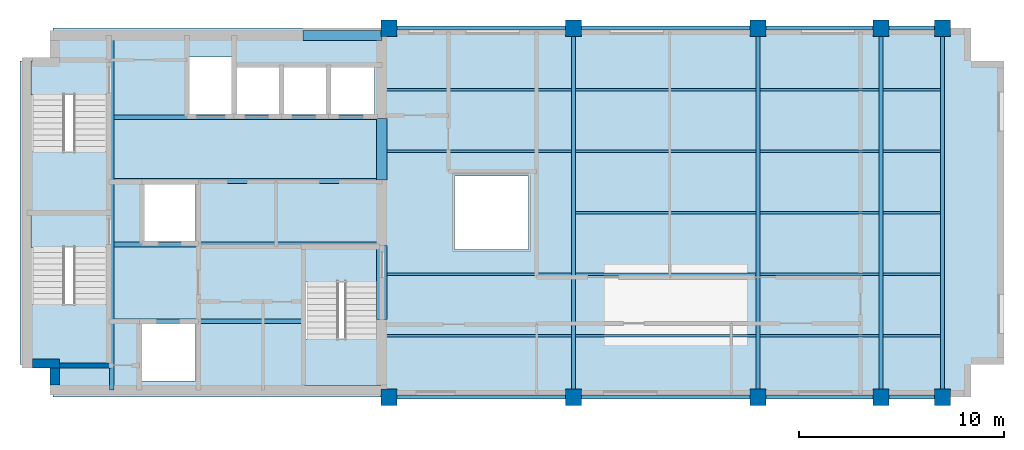
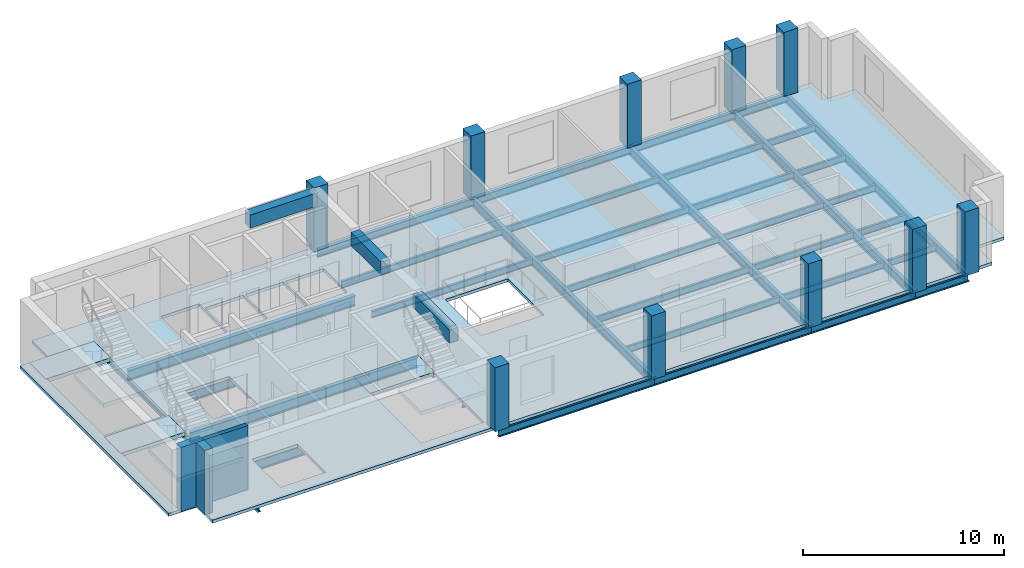
# One storey, part 1 of 5: 39 beams, 10 columns, 7 slabs, 3 walls, 3 elements without a shape of their own.
"""IFC4 building model written with IfcOpenShell, lengths in metres."""

import ifcopenshell
import ifcopenshell.guid

model = None  # the IFC model being written
_history = None  # IfcOwnerHistory: only IFC2X3 demands one
_inside = {}  # id of a spatial element -> (the spatial element, [elements in it])
_under = {}  # id of a project, library or spatial element -> (it, [spatial elements below it])
_declared = {}  # id of a project -> (the project, [libraries it declares])
_typed = {}  # id of a type object -> (the type object, [elements of that type])
_made_of = {}  # id of a material, layer set ... -> (it, [elements and type objects made of it])


def new_model(schema):
    """Start an empty IFC model of exactly this schema.

    Asked for "IFC4X3", IfcOpenShell would pick the latest addendum, in which some entities
    have other attributes; the version numbers below select the first issue.
    IFC2X3 requires an IfcOwnerHistory on every rooted entity: one is made here for all.
    """
    global model, _history
    if schema == "IFC4X3":
        model = ifcopenshell.file(schema_version=(4, 3, 0, 0))
    else:
        model = ifcopenshell.file(schema=schema)
    _inside.clear()
    _under.clear()
    _declared.clear()
    _typed.clear()
    _made_of.clear()
    _history = None
    if model.schema == "IFC2X3":
        org = make("IfcOrganization", Name="unknown")
        user = make(
            "IfcPersonAndOrganization",
            ThePerson=make("IfcPerson", FamilyName="unknown"),
            TheOrganization=org,
        )
        app = make(
            "IfcApplication",
            ApplicationDeveloper=org,
            Version="unknown",
            ApplicationFullName="unknown",
            ApplicationIdentifier="unknown",
        )
        _history = make(
            "IfcOwnerHistory",
            OwningUser=user,
            OwningApplication=app,
            ChangeAction="ADDED",
            CreationDate=0,
        )
    return model


def make(cls, **values):
    """One entity of the class cls with the attributes given. An attribute that is None is left unset."""
    return model.create_entity(
        cls, **{name: value for name, value in values.items() if value is not None}
    )


def rooted(cls, **values):
    """An entity with a GlobalId (a new one), such as an element, a storey or a relation."""
    return make(cls, GlobalId=ifcopenshell.guid.new(), OwnerHistory=_history, **values)


def si_unit(unit_type, name, prefix=None):
    """IfcSIUnit, for example si_unit("LENGTHUNIT", "METRE", prefix="MILLI")."""
    return make("IfcSIUnit", UnitType=unit_type, Prefix=prefix, Name=name)


def assignment(units):
    """IfcUnitAssignment: the units of a project."""
    return None if units is None else make("IfcUnitAssignment", Units=units)


def point(xyz):
    """IfcCartesianPoint."""
    return None if xyz is None else make("IfcCartesianPoint", Coordinates=xyz)


def direction(xyz):
    """IfcDirection."""
    return None if xyz is None else make("IfcDirection", DirectionRatios=xyz)


def frame(location, z_axis=None, x_axis=None):
    """IfcAxis2Placement3D, a coordinate frame: its origin and axes. An axis left out is left unset."""
    return make(
        "IfcAxis2Placement3D",
        Location=point(location),
        Axis=direction(z_axis),
        RefDirection=direction(x_axis),
    )


def frame_2d(location, x_axis=None):
    """IfcAxis2Placement2D, a coordinate frame in the plane: its origin and x axis."""
    return make(
        "IfcAxis2Placement2D", Location=point(location), RefDirection=direction(x_axis)
    )


def origin():
    """The frame at (0, 0, 0) with its axes left unset."""
    return frame((0.0, 0.0, 0.0))


def origin_2d():
    """The frame at (0, 0) in the plane with its x axis left unset."""
    return frame_2d((0.0, 0.0))


def place(relative_to, where):
    """IfcLocalPlacement: puts the frame where relative to a parent placement (None: the world)."""
    return make(
        "IfcLocalPlacement", PlacementRelTo=relative_to, RelativePlacement=where
    )


def context(
    kind, dimensions, precision=None, world=None, true_north=None, identifier=None
):
    """IfcGeometricRepresentationContext, for example the 3D "Model" context."""
    return make(
        "IfcGeometricRepresentationContext",
        ContextIdentifier=identifier,
        ContextType=kind,
        CoordinateSpaceDimension=dimensions,
        Precision=precision,
        WorldCoordinateSystem=world,
        TrueNorth=true_north,
    )


def subcontext(parent, identifier, kind, view, scale=None):
    """IfcGeometricRepresentationSubContext, for example "Body" below "Model"."""
    return make(
        "IfcGeometricRepresentationSubContext",
        ContextIdentifier=identifier,
        ContextType=kind,
        ParentContext=parent,
        TargetScale=scale,
        TargetView=view,
    )


def project(units=None, contexts=None):
    """IfcProject with its units and contexts."""
    return rooted(
        "IfcProject",
        Name="project",
        RepresentationContexts=contexts,
        UnitsInContext=assignment(units),
    )


def spatial(cls, under=None, at=None, **own):
    """A site, building, storey or space (cls), placed at a placement, below another one or the project."""
    s = rooted(cls, ObjectPlacement=at, **own)
    if under is not None:
        _under.setdefault(under.id(), (under, []))[1].append(s)
    return s


def polyline(points):
    """IfcPolyline through the points."""
    return make("IfcPolyline", Points=[point(p) for p in points])


def profile(cls, at=None, kind="AREA", **sizes):
    """A parametric profile (cls). Its sizes go by their IFC names, for example OverallWidth=200.0."""
    return make(cls, ProfileType=kind, Position=at, **sizes)


def rectangle(**sizes):
    """IfcRectangleProfileDef."""
    return profile("IfcRectangleProfileDef", **sizes)


def i_section(**sizes):
    """IfcIShapeProfileDef."""
    return profile("IfcIShapeProfileDef", **sizes)


def outline(outer, holes=None, kind="AREA"):
    """IfcArbitraryClosedProfileDef: a profile drawn as a closed curve; with holes, ...WithVoids."""
    if holes is None:
        return make("IfcArbitraryClosedProfileDef", ProfileType=kind, OuterCurve=outer)
    return make(
        "IfcArbitraryProfileDefWithVoids",
        ProfileType=kind,
        OuterCurve=outer,
        InnerCurves=holes,
    )


def extrude(swept, where, along, depth):
    """IfcExtrudedAreaSolid: the profile swept, set in the frame where, extruded along a direction by depth."""
    return make(
        "IfcExtrudedAreaSolid",
        SweptArea=swept,
        Position=where,
        ExtrudedDirection=direction(along),
        Depth=depth,
    )


def shape(context_of_items, identifier, shape_type, items):
    """IfcShapeRepresentation: the items that make up one representation, for example the "Body"."""
    return make(
        "IfcShapeRepresentation",
        ContextOfItems=context_of_items,
        RepresentationIdentifier=identifier,
        RepresentationType=shape_type,
        Items=items,
    )


def material(Name=None, Category=None):
    """IfcMaterial."""
    return make("IfcMaterial", Name=Name, Category=Category)


def layer(
    of_material, thickness, ventilated=None, Name=None, Category=None, Priority=None
):
    """IfcMaterialLayer: one layer of a wall or slab, of a material (None: an air gap)."""
    return make(
        "IfcMaterialLayer",
        Material=of_material,
        LayerThickness=thickness,
        IsVentilated=ventilated,
        Name=Name,
        Category=Category,
        Priority=Priority,
    )


def layer_set(layers, Name=None):
    """IfcMaterialLayerSet."""
    return make("IfcMaterialLayerSet", MaterialLayers=layers, LayerSetName=Name)


def material_profile(
    of_material, cross_section, Name=None, Category=None, Priority=None
):
    """IfcMaterialProfile: a cross section and its material."""
    return make(
        "IfcMaterialProfile",
        Name=Name,
        Material=of_material,
        Profile=cross_section,
        Priority=Priority,
        Category=Category,
    )


def profile_set(profiles, Name=None, composite=None):
    """IfcMaterialProfileSet."""
    return make(
        "IfcMaterialProfileSet",
        Name=Name,
        MaterialProfiles=profiles,
        CompositeProfile=composite,
    )


def made_of(thing, what):
    """Note that an element or type object is made of a material, layer set ...; save() writes the relation."""
    if what is not None:
        _made_of.setdefault(what.id(), (what, []))[1].append(thing)
    return thing


def type_object(cls, material=None, **own):
    """A type object (cls), such as IfcWallType, which elements share."""
    return made_of(rooted(cls, **own), material)


def element(
    cls,
    number,
    at=None,
    inside=None,
    cuts=None,
    type_object=None,
    material=None,
    context=None,
    identifier="Body",
    shape_type=None,
    held_by="IfcProductDefinitionShape",
    body=None,
    shapes=None,
    **own,
):
    """One element of the class cls, such as IfcWall. Its Tag is "e" and its number.

    at: its placement. inside: the storey or other place that contains it. cuts: it is an
    opening in that element (IfcRelVoidsElement). A single representation is given by context,
    identifier, shape_type and body (its items); several are given by shapes. held_by: the class
    of the entity that holds the representations. save() writes the other relations.
    """
    e = rooted(cls, Tag="e%d" % number, ObjectPlacement=at, **own)
    if body is not None:
        shapes = [shape(context, identifier, shape_type, body)]
    if shapes is not None:
        e.Representation = make(held_by, Representations=shapes)
    if inside is not None:
        _inside.setdefault(inside.id(), (inside, []))[1].append(e)
    if cuts is not None:
        rooted(
            "IfcRelVoidsElement", RelatingBuildingElement=cuts, RelatedOpeningElement=e
        )
    if type_object is not None:
        _typed.setdefault(type_object.id(), (type_object, []))[1].append(e)
    return made_of(e, material)


def aggregate(whole, parts):
    """IfcRelAggregates: a whole, such as a stair, and the parts it consists of."""
    return rooted("IfcRelAggregates", RelatingObject=whole, RelatedObjects=parts)


def save(model, path):
    """Write the relations noted so far, then the file.

    IfcRelAggregates (storeys below a building ...), IfcRelContainedInSpatialStructure (elements
    in a storey), IfcRelDefinesByType, IfcRelAssociatesMaterial and IfcRelDeclares: one each for
    every whole, place, type object, material and project.
    """
    for whole, parts in _under.values():
        aggregate(whole, parts)
    for where, things in _inside.values():
        rooted(
            "IfcRelContainedInSpatialStructure",
            RelatedElements=things,
            RelatingStructure=where,
        )
    for kind, things in _typed.values():
        rooted("IfcRelDefinesByType", RelatedObjects=things, RelatingType=kind)
    for what, things in _made_of.values():
        rooted("IfcRelAssociatesMaterial", RelatedObjects=things, RelatingMaterial=what)
    for by, libraries in _declared.values():
        rooted("IfcRelDeclares", RelatingContext=by, RelatedDefinitions=libraries)
    model.write(path)


model = new_model("IFC4")

# Units and contexts
model_context = context("Model", 3, precision=1e-05, world=origin(), true_north=direction((0.0, 1.0)))
body_context = subcontext(model_context, "Body", "Model", "MODEL_VIEW")
ifc_project = project(units=[si_unit("LENGTHUNIT", "METRE"), si_unit("AREAUNIT", "SQUARE_METRE"), si_unit("VOLUMEUNIT", "CUBIC_METRE"), si_unit("PLANEANGLEUNIT", "RADIAN"), si_unit("MASSUNIT", "GRAM", prefix="KILO")], contexts=[model_context])

# Site, building, storey
site_placement = place(None, origin())
site = spatial("IfcSite", under=ifc_project, at=site_placement, CompositionType="ELEMENT")
building_placement = place(site_placement, origin())
building = spatial("IfcBuilding", under=site, at=building_placement, Name="Mawjdan Bourse Tower", CompositionType="ELEMENT")
storey_placement = place(building_placement, frame((0.0, 0.0, 266.39990234375)))
storey = spatial("IfcBuildingStorey", under=building, at=storey_placement, Name="L65", CompositionType="ELEMENT", Elevation=266.39990234375)

# Columns
ifc_material_1 = material(Name="Concrete C60/75", Category="concrete")
ifc_material_profile_1 = material_profile(ifc_material_1, rectangle(XDim=0.800048828125, YDim=0.800048828125, at=origin_2d()), Name="RC800X800")
ifc_profile_set_1 = profile_set([ifc_material_profile_1], Name="Concrete C60/75")
column_type = type_object("IfcColumnType", Name="COL-RC800X800", PredefinedType="COLUMN", material=ifc_profile_set_1)
for number, where, z_axis, x_axis, name in (
    (1, (24.0, 3.0, 0.0), (0.0, 0.0, 1.0), (1.0, 0.0, 0.0), "L65 Structural Column C-X240-Y30"),
    (2, (24.0, 21.0, 0.0), (0.0, 0.0, 1.0), (1.0, 0.0, 0.0), "L65 Structural Column C-X240-Y210"),
    (3, (33.0, 3.0, 0.0), (0.0, 0.0, 1.0), (1.0, 0.0, 0.0), "L65 Structural Column C-X330-Y30"),
    (4, (33.0, 21.0, 0.0), (0.0, 0.0, 1.0), (1.0, 0.0, 0.0), "L65 Structural Column C-X330-Y210"),
    (5, (42.0, 3.0, 0.0), (0.0, 0.0, 1.0), (1.0, 0.0, 0.0), "L65 Structural Column C-X420-Y30"),
    (6, (42.0, 21.0, 0.0), (0.0, 0.0, 1.0), (1.0, 0.0, 0.0), "L65 Structural Column C-X420-Y210"),
    (7, (48.0, 3.0, 0.0), (0.0, 0.0, 1.0), (1.0, 0.0, 0.0), "L65 Structural Column C-X480-Y30"),
    (8, (48.0, 21.0, 0.0), (0.0, 0.0, 1.0), (1.0, 0.0, 0.0), "L65 Structural Column C-X480-Y210"),
    (9, (51.0, 3.0, 0.0), (0.0, 0.0, 1.0), (1.0, 0.0, 0.0), "L65 Structural Column C-X510-Y30"),
    (10, (51.0, 21.0, 0.0), (0.0, 0.0, 1.0), (1.0, 0.0, 0.0), "L65 Structural Column C-X510-Y210"),
):
    element("IfcColumn", number, at=place(storey_placement, frame(where, z_axis=z_axis, x_axis=x_axis)), inside=storey, type_object=column_type, Name=name, PredefinedType="COLUMN", context=body_context, shape_type="SweptSolid", body=[
        extrude(rectangle(XDim=0.800048828125, YDim=0.800048828125, at=origin_2d()), origin(), (0.0, 0.0, 1.0), 3.900146484375),
    ])

# Beams
ifc_material_2 = material(Name="Structural Steel S355", Category="steel")
ifc_material_profile_2 = material_profile(ifc_material_2, i_section(OverallWidth=0.2119140625, OverallDepth=0.5439453125, WebThickness=0.01318359375, FlangeThickness=0.021240234375, FilletRadius=0.01708984375, at=origin_2d()), Name="W21X83")
ifc_profile_set_2 = profile_set([ifc_material_profile_2], Name="Structural Steel S355")
beam_type_1 = type_object("IfcBeamType", Name="GRD-W21X83", PredefinedType="BEAM", material=ifc_profile_set_2)
beam_1_placement = place(storey_placement, frame((10.47998046875, 3.35009765625, -0.456787109375), z_axis=(0.0, 1.0, 0.0), x_axis=(-1.0, 0.0, 0.0)))
element("IfcBeam", 11, at=beam_1_placement, inside=storey, type_object=beam_type_1, Name="L65 Core Stair Trimmer Girder 001", PredefinedType="BEAM", context=body_context, shape_type="SweptSolid", body=[
    extrude(i_section(OverallWidth=0.2119140625, OverallDepth=0.5439453125, WebThickness=0.01318359375, FlangeThickness=0.021240234375, FilletRadius=0.01708984375, at=origin_2d()), origin(), (0.0, 0.0, 1.0), 17.2998046875),
])
for number, where, z_axis, x_axis, name in (
    (12, (33.0, 3.0, -0.456787109375), (0.0, 1.0, 0.0), (-1.0, 0.0, 0.0), "L65 East Wing Clear-Span Girder 002"),
    (13, (42.0, 3.0, -0.456787109375), (0.0, 1.0, 0.0), (-1.0, 0.0, 0.0), "L65 East Wing Clear-Span Girder 003"),
    (14, (48.0, 3.0, -0.456787109375), (0.0, 1.0, 0.0), (-1.0, 0.0, 0.0), "L65 East Wing Clear-Span Girder 004"),
    (15, (51.0, 3.0, -0.456787109375), (0.0, 1.0, 0.0), (-1.0, 0.0, 0.0), "L65 East Wing Clear-Span Girder 005"),
):
    element("IfcBeam", number, at=place(storey_placement, frame(where, z_axis=z_axis, x_axis=x_axis)), inside=storey, type_object=beam_type_1, Name=name, PredefinedType="BEAM", context=body_context, shape_type="SweptSolid", body=[
        extrude(i_section(OverallWidth=0.2119140625, OverallDepth=0.5439453125, WebThickness=0.01318359375, FlangeThickness=0.021240234375, FilletRadius=0.01708984375, at=origin_2d()), origin(), (0.0, 0.0, 1.0), 18.0),
    ])
ifc_material_profile_3 = material_profile(ifc_material_2, i_section(OverallWidth=0.139892578125, OverallDepth=0.404052734375, WebThickness=0.007080078125, FlangeThickness=0.01123046875, FilletRadius=0.009033203125, at=origin_2d()), Name="W16X31")
ifc_profile_set_3 = profile_set([ifc_material_profile_3], Name="Structural Steel S355")
beam_type_2 = type_object("IfcBeamType", Name="JST-W16X31", PredefinedType="JOIST", material=ifc_profile_set_3)
beam_2_placement = place(storey_placement, frame((23.64990234375, 6.0, -0.386962890625), z_axis=(1.0, 0.0, 0.0), x_axis=(0.0, 1.0, 0.0)))
element("IfcBeam", 16, at=beam_2_placement, inside=storey, type_object=beam_type_2, Name="L65 East Wing Composite Joist 014", PredefinedType="JOIST", context=body_context, shape_type="SweptSolid", body=[
    extrude(i_section(OverallWidth=0.139892578125, OverallDepth=0.404052734375, WebThickness=0.007080078125, FlangeThickness=0.01123046875, FilletRadius=0.009033203125, at=origin_2d()), origin(), (0.0, 0.0, 1.0), 9.24609375),
])
beam_3_placement = place(storey_placement, frame((33.10400390625, 6.0, -0.386962890625), z_axis=(1.0, 0.0, 0.0), x_axis=(0.0, 1.0, 0.0)))
element("IfcBeam", 17, at=beam_3_placement, inside=storey, type_object=beam_type_2, Name="L65 East Wing Composite Joist 015", PredefinedType="JOIST", context=body_context, shape_type="SweptSolid", body=[
    extrude(i_section(OverallWidth=0.139892578125, OverallDepth=0.404052734375, WebThickness=0.007080078125, FlangeThickness=0.01123046875, FilletRadius=0.009033203125, at=origin_2d()), origin(), (0.0, 0.0, 1.0), 8.7919921875),
])
beam_4_placement = place(storey_placement, frame((42.10400390625, 6.0, -0.386962890625), z_axis=(1.0, 0.0, 0.0), x_axis=(0.0, 1.0, 0.0)))
element("IfcBeam", 18, at=beam_4_placement, inside=storey, type_object=beam_type_2, Name="L65 East Wing Composite Joist 016", PredefinedType="JOIST", context=body_context, shape_type="SweptSolid", body=[
    extrude(i_section(OverallWidth=0.139892578125, OverallDepth=0.404052734375, WebThickness=0.007080078125, FlangeThickness=0.01123046875, FilletRadius=0.009033203125, at=origin_2d()), origin(), (0.0, 0.0, 1.0), 5.7919921875),
])
beam_5_placement = place(storey_placement, frame((48.10400390625, 6.0, -0.386962890625), z_axis=(1.0, 0.0, 0.0), x_axis=(0.0, 1.0, 0.0)))
element("IfcBeam", 19, at=beam_5_placement, inside=storey, type_object=beam_type_2, Name="L65 East Wing Composite Joist 017", PredefinedType="JOIST", context=body_context, shape_type="SweptSolid", body=[
    extrude(i_section(OverallWidth=0.139892578125, OverallDepth=0.404052734375, WebThickness=0.007080078125, FlangeThickness=0.01123046875, FilletRadius=0.009033203125, at=origin_2d()), origin(), (0.0, 0.0, 1.0), 2.7919921875),
])
beam_6_placement = place(storey_placement, frame((23.64990234375, 9.0, -0.386962890625), z_axis=(1.0, 0.0, 0.0), x_axis=(0.0, 1.0, 0.0)))
element("IfcBeam", 20, at=beam_6_placement, inside=storey, type_object=beam_type_2, Name="L65 East Wing Composite Joist 018", PredefinedType="JOIST", context=body_context, shape_type="SweptSolid", body=[
    extrude(i_section(OverallWidth=0.139892578125, OverallDepth=0.404052734375, WebThickness=0.007080078125, FlangeThickness=0.01123046875, FilletRadius=0.009033203125, at=origin_2d()), origin(), (0.0, 0.0, 1.0), 9.24609375),
])
beam_7_placement = place(storey_placement, frame((33.10400390625, 9.0, -0.386962890625), z_axis=(1.0, 0.0, 0.0), x_axis=(0.0, 1.0, 0.0)))
element("IfcBeam", 21, at=beam_7_placement, inside=storey, type_object=beam_type_2, Name="L65 East Wing Composite Joist 019", PredefinedType="JOIST", context=body_context, shape_type="SweptSolid", body=[
    extrude(i_section(OverallWidth=0.139892578125, OverallDepth=0.404052734375, WebThickness=0.007080078125, FlangeThickness=0.01123046875, FilletRadius=0.009033203125, at=origin_2d()), origin(), (0.0, 0.0, 1.0), 8.7919921875),
])
beam_8_placement = place(storey_placement, frame((42.10400390625, 9.0, -0.386962890625), z_axis=(1.0, 0.0, 0.0), x_axis=(0.0, 1.0, 0.0)))
element("IfcBeam", 22, at=beam_8_placement, inside=storey, type_object=beam_type_2, Name="L65 East Wing Composite Joist 020", PredefinedType="JOIST", context=body_context, shape_type="SweptSolid", body=[
    extrude(i_section(OverallWidth=0.139892578125, OverallDepth=0.404052734375, WebThickness=0.007080078125, FlangeThickness=0.01123046875, FilletRadius=0.009033203125, at=origin_2d()), origin(), (0.0, 0.0, 1.0), 5.7919921875),
])
beam_9_placement = place(storey_placement, frame((48.10400390625, 9.0, -0.386962890625), z_axis=(1.0, 0.0, 0.0), x_axis=(0.0, 1.0, 0.0)))
element("IfcBeam", 23, at=beam_9_placement, inside=storey, type_object=beam_type_2, Name="L65 East Wing Composite Joist 021", PredefinedType="JOIST", context=body_context, shape_type="SweptSolid", body=[
    extrude(i_section(OverallWidth=0.139892578125, OverallDepth=0.404052734375, WebThickness=0.007080078125, FlangeThickness=0.01123046875, FilletRadius=0.009033203125, at=origin_2d()), origin(), (0.0, 0.0, 1.0), 2.7919921875),
])
beam_10_placement = place(storey_placement, frame((33.10400390625, 12.0, -0.386962890625), z_axis=(1.0, 0.0, 0.0), x_axis=(0.0, 1.0, 0.0)))
element("IfcBeam", 24, at=beam_10_placement, inside=storey, type_object=beam_type_2, Name="L65 East Wing Composite Joist 022", PredefinedType="JOIST", context=body_context, shape_type="SweptSolid", body=[
    extrude(i_section(OverallWidth=0.139892578125, OverallDepth=0.404052734375, WebThickness=0.007080078125, FlangeThickness=0.01123046875, FilletRadius=0.009033203125, at=origin_2d()), origin(), (0.0, 0.0, 1.0), 8.7919921875),
])
beam_11_placement = place(storey_placement, frame((42.10400390625, 12.0, -0.386962890625), z_axis=(1.0, 0.0, 0.0), x_axis=(0.0, 1.0, 0.0)))
element("IfcBeam", 25, at=beam_11_placement, inside=storey, type_object=beam_type_2, Name="L65 East Wing Composite Joist 023", PredefinedType="JOIST", context=body_context, shape_type="SweptSolid", body=[
    extrude(i_section(OverallWidth=0.139892578125, OverallDepth=0.404052734375, WebThickness=0.007080078125, FlangeThickness=0.01123046875, FilletRadius=0.009033203125, at=origin_2d()), origin(), (0.0, 0.0, 1.0), 5.7919921875),
])
beam_12_placement = place(storey_placement, frame((48.10400390625, 12.0, -0.386962890625), z_axis=(1.0, 0.0, 0.0), x_axis=(0.0, 1.0, 0.0)))
element("IfcBeam", 26, at=beam_12_placement, inside=storey, type_object=beam_type_2, Name="L65 East Wing Composite Joist 024", PredefinedType="JOIST", context=body_context, shape_type="SweptSolid", body=[
    extrude(i_section(OverallWidth=0.139892578125, OverallDepth=0.404052734375, WebThickness=0.007080078125, FlangeThickness=0.01123046875, FilletRadius=0.009033203125, at=origin_2d()), origin(), (0.0, 0.0, 1.0), 2.7919921875),
])
beam_13_placement = place(storey_placement, frame((23.64990234375, 15.0, -0.386962890625), z_axis=(1.0, 0.0, 0.0), x_axis=(0.0, 1.0, 0.0)))
element("IfcBeam", 27, at=beam_13_placement, inside=storey, type_object=beam_type_2, Name="L65 East Wing Composite Joist 025", PredefinedType="JOIST", context=body_context, shape_type="SweptSolid", body=[
    extrude(i_section(OverallWidth=0.139892578125, OverallDepth=0.404052734375, WebThickness=0.007080078125, FlangeThickness=0.01123046875, FilletRadius=0.009033203125, at=origin_2d()), origin(), (0.0, 0.0, 1.0), 9.24609375),
])
beam_14_placement = place(storey_placement, frame((33.10400390625, 15.0, -0.386962890625), z_axis=(1.0, 0.0, 0.0), x_axis=(0.0, 1.0, 0.0)))
element("IfcBeam", 28, at=beam_14_placement, inside=storey, type_object=beam_type_2, Name="L65 East Wing Composite Joist 026", PredefinedType="JOIST", context=body_context, shape_type="SweptSolid", body=[
    extrude(i_section(OverallWidth=0.139892578125, OverallDepth=0.404052734375, WebThickness=0.007080078125, FlangeThickness=0.01123046875, FilletRadius=0.009033203125, at=origin_2d()), origin(), (0.0, 0.0, 1.0), 8.7919921875),
])
beam_15_placement = place(storey_placement, frame((42.10400390625, 15.0, -0.386962890625), z_axis=(1.0, 0.0, 0.0), x_axis=(0.0, 1.0, 0.0)))
element("IfcBeam", 29, at=beam_15_placement, inside=storey, type_object=beam_type_2, Name="L65 East Wing Composite Joist 027", PredefinedType="JOIST", context=body_context, shape_type="SweptSolid", body=[
    extrude(i_section(OverallWidth=0.139892578125, OverallDepth=0.404052734375, WebThickness=0.007080078125, FlangeThickness=0.01123046875, FilletRadius=0.009033203125, at=origin_2d()), origin(), (0.0, 0.0, 1.0), 5.7919921875),
])
beam_16_placement = place(storey_placement, frame((48.10400390625, 15.0, -0.386962890625), z_axis=(1.0, 0.0, 0.0), x_axis=(0.0, 1.0, 0.0)))
element("IfcBeam", 30, at=beam_16_placement, inside=storey, type_object=beam_type_2, Name="L65 East Wing Composite Joist 028", PredefinedType="JOIST", context=body_context, shape_type="SweptSolid", body=[
    extrude(i_section(OverallWidth=0.139892578125, OverallDepth=0.404052734375, WebThickness=0.007080078125, FlangeThickness=0.01123046875, FilletRadius=0.009033203125, at=origin_2d()), origin(), (0.0, 0.0, 1.0), 2.7919921875),
])
beam_17_placement = place(storey_placement, frame((23.64990234375, 18.0, -0.386962890625), z_axis=(1.0, 0.0, 0.0), x_axis=(0.0, 1.0, 0.0)))
element("IfcBeam", 31, at=beam_17_placement, inside=storey, type_object=beam_type_2, Name="L65 East Wing Composite Joist 029", PredefinedType="JOIST", context=body_context, shape_type="SweptSolid", body=[
    extrude(i_section(OverallWidth=0.139892578125, OverallDepth=0.404052734375, WebThickness=0.007080078125, FlangeThickness=0.01123046875, FilletRadius=0.009033203125, at=origin_2d()), origin(), (0.0, 0.0, 1.0), 9.24609375),
])
beam_18_placement = place(storey_placement, frame((33.10400390625, 18.0, -0.386962890625), z_axis=(1.0, 0.0, 0.0), x_axis=(0.0, 1.0, 0.0)))
element("IfcBeam", 32, at=beam_18_placement, inside=storey, type_object=beam_type_2, Name="L65 East Wing Composite Joist 030", PredefinedType="JOIST", context=body_context, shape_type="SweptSolid", body=[
    extrude(i_section(OverallWidth=0.139892578125, OverallDepth=0.404052734375, WebThickness=0.007080078125, FlangeThickness=0.01123046875, FilletRadius=0.009033203125, at=origin_2d()), origin(), (0.0, 0.0, 1.0), 8.7919921875),
])
beam_19_placement = place(storey_placement, frame((42.10400390625, 18.0, -0.386962890625), z_axis=(1.0, 0.0, 0.0), x_axis=(0.0, 1.0, 0.0)))
element("IfcBeam", 33, at=beam_19_placement, inside=storey, type_object=beam_type_2, Name="L65 East Wing Composite Joist 031", PredefinedType="JOIST", context=body_context, shape_type="SweptSolid", body=[
    extrude(i_section(OverallWidth=0.139892578125, OverallDepth=0.404052734375, WebThickness=0.007080078125, FlangeThickness=0.01123046875, FilletRadius=0.009033203125, at=origin_2d()), origin(), (0.0, 0.0, 1.0), 5.7919921875),
])
beam_20_placement = place(storey_placement, frame((48.10400390625, 18.0, -0.386962890625), z_axis=(1.0, 0.0, 0.0), x_axis=(0.0, 1.0, 0.0)))
element("IfcBeam", 34, at=beam_20_placement, inside=storey, type_object=beam_type_2, Name="L65 East Wing Composite Joist 032", PredefinedType="JOIST", context=body_context, shape_type="SweptSolid", body=[
    extrude(i_section(OverallWidth=0.139892578125, OverallDepth=0.404052734375, WebThickness=0.007080078125, FlangeThickness=0.01123046875, FilletRadius=0.009033203125, at=origin_2d()), origin(), (0.0, 0.0, 1.0), 2.7919921875),
])
ifc_material_profile_4 = material_profile(ifc_material_2, i_section(OverallWidth=0.22998046875, OverallDepth=0.616943359375, WebThickness=0.01318359375, FlangeThickness=0.022216796875, FilletRadius=0.017822265625, at=origin_2d()), Name="W24X94")
ifc_profile_set_4 = profile_set([ifc_material_profile_4], Name="Structural Steel S355")
beam_type_3 = type_object("IfcBeamType", Name="JST-W24X94", PredefinedType="JOIST", material=ifc_profile_set_4)
beam_21_placement = place(storey_placement, frame((10.583984375, 6.699951171875, -0.493408203125), z_axis=(1.0, 0.0, 0.0), x_axis=(0.0, 1.0, 0.0)))
element("IfcBeam", 35, at=beam_21_placement, inside=storey, type_object=beam_type_3, Name="L65 Core Floor Joist 033", PredefinedType="JOIST", context=body_context, shape_type="SweptSolid", body=[
    extrude(i_section(OverallWidth=0.22998046875, OverallDepth=0.616943359375, WebThickness=0.01318359375, FlangeThickness=0.022216796875, FilletRadius=0.017822265625, at=origin_2d()), origin(), (0.0, 0.0, 1.0), 9.24609375),
])
for number, where, z_axis, x_axis, name in (
    (36, (10.583984375, 10.449951171875, -0.493408203125), (1.0, 0.0, 0.0), (0.0, 1.0, 0.0), "L65 Core Floor Joist 034"),
    (37, (10.583984375, 13.550048828125, -0.493408203125), (1.0, 0.0, 0.0), (0.0, 1.0, 0.0), "L65 Core Floor Joist 035"),
    (38, (10.583984375, 16.64990234375, -0.493408203125), (1.0, 0.0, 0.0), (0.0, 1.0, 0.0), "L65 Core Floor Joist 036"),
):
    element("IfcBeam", number, at=place(storey_placement, frame(where, z_axis=z_axis, x_axis=x_axis)), inside=storey, type_object=beam_type_3, Name=name, PredefinedType="JOIST", context=body_context, shape_type="SweptSolid", body=[
        extrude(i_section(OverallWidth=0.22998046875, OverallDepth=0.616943359375, WebThickness=0.01318359375, FlangeThickness=0.022216796875, FilletRadius=0.017822265625, at=origin_2d()), origin(), (0.0, 0.0, 1.0), 13.06591796875),
    ])
ifc_material_3 = material(Name="Concrete C70/85", Category="concrete")
ifc_material_profile_5 = material_profile(ifc_material_3, rectangle(XDim=0.5, YDim=0.800048828125, at=origin_2d()), Name="RCB500X800")
ifc_profile_set_5 = profile_set([ifc_material_profile_5], Name="Concrete C70/85")
beam_type_4 = type_object("IfcBeamType", Name="LNT-RCB500X800", PredefinedType="LINTEL", material=ifc_profile_set_5)
beam_22_placement = place(storey_placement, frame((23.64990234375, 6.800048828125, 3.315185546875), z_axis=(0.0, 1.0, 0.0), x_axis=(-1.0, 0.0, 0.0)))
element("IfcBeam", 39, at=beam_22_placement, inside=storey, type_object=beam_type_4, Name="L65 Coupled Core Lintel CB-E1", PredefinedType="LINTEL", context=body_context, shape_type="SweptSolid", body=[
    extrude(rectangle(XDim=0.5, YDim=0.800048828125, at=origin_2d()), origin(), (0.0, 0.0, 1.0), 3.599853515625),
])
beam_23_placement = place(storey_placement, frame((23.64990234375, 13.60009765625, 3.315185546875), z_axis=(0.0, 1.0, 0.0), x_axis=(-1.0, 0.0, 0.0)))
element("IfcBeam", 40, at=beam_23_placement, inside=storey, type_object=beam_type_4, Name="L65 Coupled Core Lintel CB-E2", PredefinedType="LINTEL", context=body_context, shape_type="SweptSolid", body=[
    extrude(rectangle(XDim=0.5, YDim=0.800048828125, at=origin_2d()), origin(), (0.0, 0.0, 1.0), 3.0),
])
beam_24_placement = place(storey_placement, frame((19.800048828125, 20.64990234375, 3.315185546875), z_axis=(1.0, 0.0, 0.0), x_axis=(0.0, 1.0, 0.0)))
element("IfcBeam", 41, at=beam_24_placement, inside=storey, type_object=beam_type_4, Name="L65 Coupled Core Lintel CB-N1", PredefinedType="LINTEL", context=body_context, shape_type="SweptSolid", body=[
    extrude(rectangle(XDim=0.5, YDim=0.800048828125, at=origin_2d()), origin(), (0.0, 0.0, 1.0), 3.849853515625),
])
ifc_material_profile_6 = material_profile(ifc_material_2, i_section(OverallWidth=0.19189453125, OverallDepth=0.462890625, WebThickness=0.010498046875, FlangeThickness=0.017578125, FilletRadius=0.01416015625, at=origin_2d()), Name="W18X60")
ifc_profile_set_6 = profile_set([ifc_material_profile_6], Name="Structural Steel S355")
beam_type_5 = type_object("IfcBeamType", Name="SPN-W18X60", PredefinedType="SPANDREL", material=ifc_profile_set_6)
for number, where, z_axis, x_axis, name in (
    (42, (24.0, 3.0, -0.41650390625), (1.0, 0.0, 0.0), (0.0, 1.0, 0.0), "L65 Perimeter Masonry-Shelf Spandrel 006"),
    (43, (33.0, 3.0, -0.41650390625), (1.0, 0.0, 0.0), (0.0, 1.0, 0.0), "L65 Perimeter Masonry-Shelf Spandrel 007"),
):
    element("IfcBeam", number, at=place(storey_placement, frame(where, z_axis=z_axis, x_axis=x_axis)), inside=storey, type_object=beam_type_5, Name=name, PredefinedType="SPANDREL", context=body_context, shape_type="SweptSolid", body=[
        extrude(i_section(OverallWidth=0.19189453125, OverallDepth=0.462890625, WebThickness=0.010498046875, FlangeThickness=0.017578125, FilletRadius=0.01416015625, at=origin_2d()), origin(), (0.0, 0.0, 1.0), 9.0),
    ])
beam_25_placement = place(storey_placement, frame((42.0, 3.0, -0.41650390625), z_axis=(1.0, 0.0, 0.0), x_axis=(0.0, 1.0, 0.0)))
element("IfcBeam", 44, at=beam_25_placement, inside=storey, type_object=beam_type_5, Name="L65 Perimeter Masonry-Shelf Spandrel 008", PredefinedType="SPANDREL", context=body_context, shape_type="SweptSolid", body=[
    extrude(i_section(OverallWidth=0.19189453125, OverallDepth=0.462890625, WebThickness=0.010498046875, FlangeThickness=0.017578125, FilletRadius=0.01416015625, at=origin_2d()), origin(), (0.0, 0.0, 1.0), 6.0),
])
beam_26_placement = place(storey_placement, frame((48.0, 3.0, -0.41650390625), z_axis=(1.0, 0.0, 0.0), x_axis=(0.0, 1.0, 0.0)))
element("IfcBeam", 45, at=beam_26_placement, inside=storey, type_object=beam_type_5, Name="L65 Perimeter Masonry-Shelf Spandrel 009", PredefinedType="SPANDREL", context=body_context, shape_type="SweptSolid", body=[
    extrude(i_section(OverallWidth=0.19189453125, OverallDepth=0.462890625, WebThickness=0.010498046875, FlangeThickness=0.017578125, FilletRadius=0.01416015625, at=origin_2d()), origin(), (0.0, 0.0, 1.0), 3.0),
])
for number, where, z_axis, x_axis, name in (
    (46, (24.0, 21.0, -0.41650390625), (1.0, 0.0, 0.0), (0.0, 1.0, 0.0), "L65 Perimeter Masonry-Shelf Spandrel 010"),
    (47, (33.0, 21.0, -0.41650390625), (1.0, 0.0, 0.0), (0.0, 1.0, 0.0), "L65 Perimeter Masonry-Shelf Spandrel 011"),
):
    element("IfcBeam", number, at=place(storey_placement, frame(where, z_axis=z_axis, x_axis=x_axis)), inside=storey, type_object=beam_type_5, Name=name, PredefinedType="SPANDREL", context=body_context, shape_type="SweptSolid", body=[
        extrude(i_section(OverallWidth=0.19189453125, OverallDepth=0.462890625, WebThickness=0.010498046875, FlangeThickness=0.017578125, FilletRadius=0.01416015625, at=origin_2d()), origin(), (0.0, 0.0, 1.0), 9.0),
    ])
beam_27_placement = place(storey_placement, frame((42.0, 21.0, -0.41650390625), z_axis=(1.0, 0.0, 0.0), x_axis=(0.0, 1.0, 0.0)))
element("IfcBeam", 48, at=beam_27_placement, inside=storey, type_object=beam_type_5, Name="L65 Perimeter Masonry-Shelf Spandrel 012", PredefinedType="SPANDREL", context=body_context, shape_type="SweptSolid", body=[
    extrude(i_section(OverallWidth=0.19189453125, OverallDepth=0.462890625, WebThickness=0.010498046875, FlangeThickness=0.017578125, FilletRadius=0.01416015625, at=origin_2d()), origin(), (0.0, 0.0, 1.0), 6.0),
])
beam_28_placement = place(storey_placement, frame((48.0, 21.0, -0.41650390625), z_axis=(1.0, 0.0, 0.0), x_axis=(0.0, 1.0, 0.0)))
element("IfcBeam", 49, at=beam_28_placement, inside=storey, type_object=beam_type_5, Name="L65 Perimeter Masonry-Shelf Spandrel 013", PredefinedType="SPANDREL", context=body_context, shape_type="SweptSolid", body=[
    extrude(i_section(OverallWidth=0.19189453125, OverallDepth=0.462890625, WebThickness=0.010498046875, FlangeThickness=0.017578125, FilletRadius=0.01416015625, at=origin_2d()), origin(), (0.0, 0.0, 1.0), 3.0),
])

# Stair, slabs
ifc_material_4 = material(Name="Concrete C50/60", Category="concrete")
stair_type = type_object("IfcStairType", Name="STR-CORE-1500", PredefinedType="HALF_TURN_STAIR", material=ifc_material_4)
stair_1_placement = place(storey_placement, origin())
stair_1 = element("IfcStair", 50, at=stair_1_placement, inside=storey, type_object=stair_type, Name="L65 Exit Stair 1 (Core South-West)", PredefinedType="HALF_TURN_STAIR")
ifc_layer_1 = layer(ifc_material_4, 0.22998046875)
ifc_layer_set_1 = layer_set([ifc_layer_1], Name="Concrete C50/60")
slab_type_1 = type_object("IfcSlabType", Name="SL-LND-230", PredefinedType="LANDING", material=ifc_layer_set_1)
slab_1_placement = place(storey_placement, frame((0.0, 0.0, -0.22998046875)))
slab_1 = element("IfcSlab", 51, at=slab_1_placement, type_object=slab_type_1, Name="ST1-L65 landing 1", PredefinedType="LANDING", context=body_context, shape_type="SweptSolid", body=[
    extrude(outline(polyline([(6.5400390625, 10.31005859375), (10.260009765625, 10.31005859375), (10.260009765625, 11.969970703125), (6.5400390625, 11.969970703125), (6.5400390625, 10.31005859375)])), origin(), (0.0, 0.0, 1.0), 0.22998046875),
])
slab_2_placement = place(storey_placement, frame((0.0, 0.0, 1.72021484375)))
slab_2 = element("IfcSlab", 52, at=slab_2_placement, type_object=slab_type_1, Name="ST1-L65 landing 2", PredefinedType="LANDING", context=body_context, shape_type="SweptSolid", body=[
    extrude(outline(polyline([(6.5400390625, 4.590087890625), (10.260009765625, 4.590087890625), (10.260009765625, 7.5400390625), (6.5400390625, 7.5400390625), (6.5400390625, 4.590087890625)])), origin(), (0.0, 0.0, 1.0), 0.22998046875),
])
aggregate(stair_1, [slab_1, slab_2])

stair_2_placement = place(storey_placement, origin())
stair_2 = element("IfcStair", 53, at=stair_2_placement, inside=storey, type_object=stair_type, Name="L65 Exit Stair 2 (Core North-West)", PredefinedType="HALF_TURN_STAIR")
slab_3_placement = place(storey_placement, frame((0.0, 0.0, -0.22998046875)))
slab_3 = element("IfcSlab", 54, at=slab_3_placement, type_object=slab_type_1, Name="ST2-L65 landing 1", PredefinedType="LANDING", context=body_context, shape_type="SweptSolid", body=[
    extrude(outline(polyline([(6.5400390625, 17.75), (10.260009765625, 17.75), (10.260009765625, 19.409912109375), (6.5400390625, 19.409912109375), (6.5400390625, 17.75)])), origin(), (0.0, 0.0, 1.0), 0.22998046875),
])
slab_4_placement = place(storey_placement, frame((0.0, 0.0, 1.72021484375)))
slab_4 = element("IfcSlab", 55, at=slab_4_placement, type_object=slab_type_1, Name="ST2-L65 landing 2", PredefinedType="LANDING", context=body_context, shape_type="SweptSolid", body=[
    extrude(outline(polyline([(6.5400390625, 12.030029296875), (10.260009765625, 12.030029296875), (10.260009765625, 14.97998046875), (6.5400390625, 14.97998046875), (6.5400390625, 12.030029296875)])), origin(), (0.0, 0.0, 1.0), 0.22998046875),
])
aggregate(stair_2, [slab_3, slab_4])

stair_3_placement = place(storey_placement, origin())
stair_3 = element("IfcStair", 56, at=stair_3_placement, inside=storey, type_object=stair_type, Name="L65 Exit Stair 7 (Core South-East)", PredefinedType="HALF_TURN_STAIR")
slab_5_placement = place(storey_placement, frame((0.0, 0.0, -0.22998046875)))
slab_5 = element("IfcSlab", 57, at=slab_5_placement, type_object=slab_type_1, Name="ST7-L65 landing 1", PredefinedType="LANDING", context=body_context, shape_type="SweptSolid", body=[
    extrude(outline(polyline([(19.889892578125, 8.6201171875), (23.610107421875, 8.6201171875), (23.610107421875, 10.280029296875), (19.889892578125, 10.280029296875), (19.889892578125, 8.6201171875)])), origin(), (0.0, 0.0, 1.0), 0.22998046875),
])
slab_6_placement = place(storey_placement, frame((0.0, 0.0, 1.72021484375)))
slab_6 = element("IfcSlab", 58, at=slab_6_placement, type_object=slab_type_1, Name="ST7-L65 landing 2", PredefinedType="LANDING", context=body_context, shape_type="SweptSolid", body=[
    extrude(outline(polyline([(19.889892578125, 3.56005859375), (23.610107421875, 3.56005859375), (23.610107421875, 5.85009765625), (19.889892578125, 5.85009765625), (19.889892578125, 3.56005859375)])), origin(), (0.0, 0.0, 1.0), 0.22998046875),
])
aggregate(stair_3, [slab_5, slab_6])

# Slab
ifc_layer_2 = layer(ifc_material_4, 0.18505859375)
ifc_layer_set_2 = layer_set([ifc_layer_2], Name="Concrete C50/60")
slab_type_2 = type_object("IfcSlabType", Name="SL-SMT-185", PredefinedType="FLOOR", material=ifc_layer_set_2)
slab_7_placement = place(storey_placement, frame((0.0, 0.0, -0.184814453125)))
element("IfcSlab", 59, at=slab_7_placement, inside=storey, type_object=slab_type_2, Name="L65 Structural Floor Slab 1", PredefinedType="FLOOR", context=body_context, shape_type="SweptSolid", body=[
    extrude(outline(polyline([(7.60009765625, 3.0), (52.39990234375, 3.0), (52.39990234375, 4.60009765625), (54.0, 4.60009765625), (54.0, 19.39990234375), (52.39990234375, 19.39990234375), (52.39990234375, 21.0), (7.60009765625, 21.0), (7.60009765625, 19.39990234375), (6.0, 19.39990234375), (6.0, 4.60009765625), (7.60009765625, 4.60009765625), (7.60009765625, 3.0)]), holes=[polyline([(14.550048828125, 3.800048828125), (11.949951171875, 3.800048828125), (11.949951171875, 6.60009765625), (14.550048828125, 6.60009765625), (14.550048828125, 3.800048828125)]), polyline([(10.260009765625, 11.969970703125), (10.260009765625, 10.31005859375), (10.199951171875, 10.31005859375), (10.199951171875, 4.64990234375), (6.60009765625, 4.64990234375), (6.60009765625, 10.31005859375), (6.5400390625, 10.31005859375), (6.5400390625, 11.969970703125), (10.260009765625, 11.969970703125)]), polyline([(14.550048828125, 10.60009765625), (12.050048828125, 10.60009765625), (12.050048828125, 13.39990234375), (14.550048828125, 13.39990234375), (14.550048828125, 10.60009765625)]), polyline([(6.60009765625, 12.090087890625), (6.60009765625, 17.75), (6.5400390625, 17.75), (6.5400390625, 19.3798828125), (7.60009765625, 19.3798828125), (7.60205078125, 19.380126953125), (7.60400390625, 19.38037109375), (7.605712890625, 19.380859375), (7.607666015625, 19.381591796875), (7.609375, 19.38232421875), (7.611083984375, 19.38330078125), (7.61279296875, 19.384521484375), (7.614013671875, 19.385986328125), (7.615478515625, 19.38720703125), (7.61669921875, 19.388916015625), (7.61767578125, 19.390625), (7.618408203125, 19.392333984375), (7.619140625, 19.394287109375), (7.61962890625, 19.39599609375), (7.619873046875, 19.39794921875), (7.6201171875, 19.39990234375), (7.6201171875, 19.409912109375), (10.260009765625, 19.409912109375), (10.260009765625, 17.75), (10.199951171875, 17.75), (10.199951171875, 12.090087890625), (6.60009765625, 12.090087890625)]), polyline([(14.199951171875, 16.800048828125), (14.199951171875, 19.60009765625), (16.39990234375, 19.60009765625), (16.39990234375, 16.800048828125), (14.199951171875, 16.800048828125)]), polyline([(23.610107421875, 10.280029296875), (23.610107421875, 8.6201171875), (23.550048828125, 8.6201171875), (23.550048828125, 3.6201171875), (19.949951171875, 3.6201171875), (19.949951171875, 8.6201171875), (19.889892578125, 8.6201171875), (19.889892578125, 10.280029296875), (23.610107421875, 10.280029296875)]), polyline([(27.199951171875, 10.199951171875), (27.199951171875, 13.800048828125), (30.800048828125, 13.800048828125), (30.800048828125, 10.199951171875), (27.199951171875, 10.199951171875)]), polyline([(16.5, 16.800048828125), (16.5, 19.14990234375), (18.699951171875, 19.14990234375), (18.699951171875, 16.800048828125), (16.5, 16.800048828125)]), polyline([(18.800048828125, 16.800048828125), (18.800048828125, 19.14990234375), (21.0, 19.14990234375), (21.0, 16.800048828125), (18.800048828125, 16.800048828125)]), polyline([(21.10009765625, 16.800048828125), (21.10009765625, 19.14990234375), (23.300048828125, 19.14990234375), (23.300048828125, 16.800048828125), (21.10009765625, 16.800048828125)])]), origin(), (0.0, 0.0, 1.0), 0.184814453125),
])

# Walls
ifc_layer_3 = layer(ifc_material_1, 0.449951171875)
ifc_layer_set_3 = layer_set([ifc_layer_3], Name="Concrete C60/75")
wall_type_1 = type_object("IfcWallType", Name="WL-CORE-450", PredefinedType="SHEAR", material=ifc_layer_set_3)
wall_1_placement = place(storey_placement, frame((6.60009765625, 4.64990234375, 0.0), z_axis=(0.0, 0.0, 1.0), x_axis=(1.0, 0.0, 0.0)))
element("IfcWall", 60, at=wall_1_placement, inside=storey, type_object=wall_type_1, Name="L65 Rear Core Shear Wall SW-X", PredefinedType="SHEAR", context=body_context, shape_type="SweptSolid", body=[
    extrude(rectangle(XDim=1.324951171875, YDim=0.449951171875, at=frame_2d((0.66259765625, 0.0))), origin(), (0.0, 0.0, 1.0), 3.900146484375),
])
wall_2_placement = place(storey_placement, frame((7.699951171875, 3.60009765625, 0.0), z_axis=(0.0, 0.0, 1.0), x_axis=(0.0, 1.0, 0.0)))
element("IfcWall", 61, at=wall_2_placement, inside=storey, type_object=wall_type_1, Name="L65 Rear Core Shear Wall SW-Y", PredefinedType="SHEAR", context=body_context, shape_type="SweptSolid", body=[
    extrude(rectangle(XDim=0.824951171875, YDim=0.449951171875, at=frame_2d((0.41259765625, 0.0))), origin(), (0.0, 0.0, 1.0), 3.900146484375),
])
ifc_layer_4 = layer(ifc_material_4, 0.25)
ifc_layer_set_4 = layer_set([ifc_layer_4], Name="Concrete C50/60")
wall_type_2 = type_object("IfcWallType", Name="WL-STRW-250", PredefinedType="SHEAR", material=ifc_layer_set_4)
wall_3_placement = place(storey_placement, frame((7.699951171875, 4.550048828125, 0.0), z_axis=(0.0, 0.0, 1.0), x_axis=(1.0, 0.0, 0.0)))
element("IfcWall", 62, at=wall_3_placement, inside=storey, type_object=wall_type_2, Name="L65 Stairwell ST1 South Shaft Wall", PredefinedType="SHEAR", context=body_context, shape_type="SweptSolid", body=[
    extrude(rectangle(XDim=2.755126953125, YDim=0.25, at=frame_2d((1.37744140625, 0.0))), origin(), (0.0, 0.0, 1.0), 3.900146484375),
])

save(model, "model.ifc")
